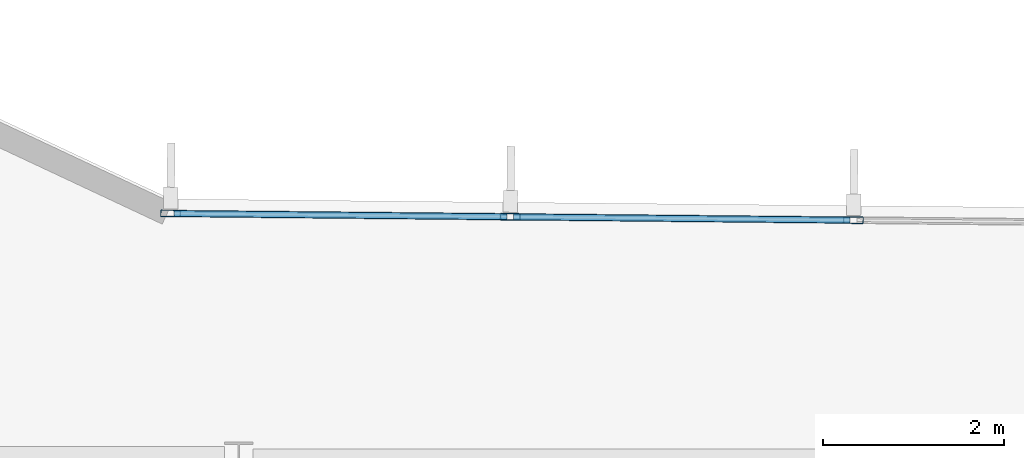
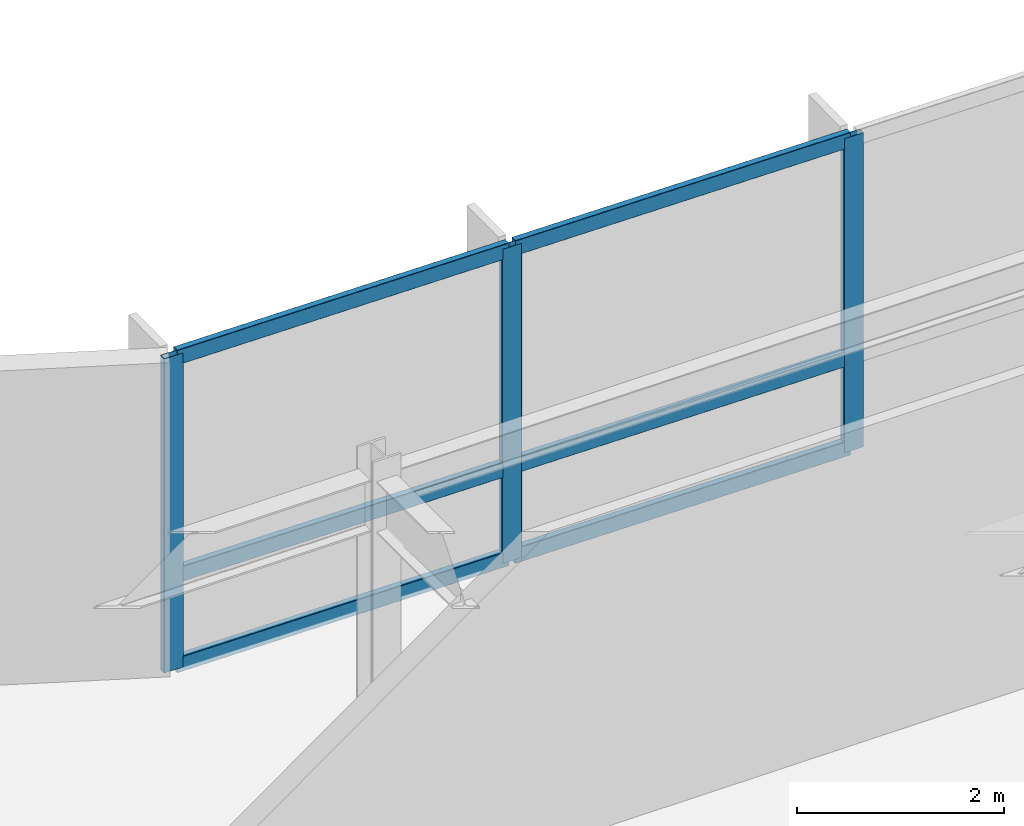
# One storey, part 4 of 19: 9 members, 1 element without a shape of its own.
"""IFC4 building model written with IfcOpenShell, lengths in metres."""

from ifc_helpers import new_model, si_unit, direction, frame, origin, origin_2d, place, context, subcontext, project, spatial, hollow_rectangle, extrude, material, layer, layer_set, material_profile, profile_set, type_object, element, aggregate, save


model = new_model("IFC4")

# Units and contexts
model_context = context("Model", 3, precision=1e-05, world=origin(), true_north=direction((0.0, 1.0)))
body_context = subcontext(model_context, "Body", "Model", "MODEL_VIEW")
ifc_project = project(units=[si_unit("LENGTHUNIT", "METRE"), si_unit("AREAUNIT", "SQUARE_METRE"), si_unit("VOLUMEUNIT", "CUBIC_METRE"), si_unit("PLANEANGLEUNIT", "RADIAN"), si_unit("MASSUNIT", "GRAM", prefix="KILO")], contexts=[model_context])

# Site, building, storey
site_placement = place(None, origin())
site = spatial("IfcSite", under=ifc_project, at=site_placement, CompositionType="ELEMENT")
building_placement = place(site_placement, origin())
building = spatial("IfcBuilding", under=site, at=building_placement, Name="Varnakote Quay Hospital", CompositionType="ELEMENT")
storey_placement = place(building_placement, frame((0.0, 0.0, 89.64990234375)))
storey = spatial("IfcBuildingStorey", under=building, at=storey_placement, Name="L22", CompositionType="ELEMENT", Elevation=89.64990234375)

# Curtain wall, members
ifc_material_1 = material(Name="Anodised aluminium 6063-T6 Bronze", Category="aluminium")
ifc_layer = layer(ifc_material_1, 0.18994140625)
ifc_layer_set = layer_set([ifc_layer], Name="Anodised aluminium 6063-T6 Bronze")
curtain_wall_type = type_object("IfcCurtainWallType", Name="CW-SYS-2", PredefinedType="NOTDEFINED", material=ifc_layer_set)
curtain_wall_placement = place(storey_placement, origin())
curtain_wall = element("IfcCurtainWall", 1, at=curtain_wall_placement, inside=storey, type_object=curtain_wall_type, Name="L22 Unitised Bronze Curtain Wall 2", PredefinedType="NOTDEFINED")
ifc_material_2 = material(Name="Anodised aluminium 6063-T6 Bronze", Category="aluminium")
ifc_material_profile_1 = material_profile(ifc_material_2, hollow_rectangle(XDim=0.074951171875, YDim=0.219970703125, WallThickness=0.00439453125, InnerFilletRadius=0.00439453125, OuterFilletRadius=0.009033203125, at=origin_2d()), Name="CW-MULL-220x75")
ifc_profile_set_1 = profile_set([ifc_material_profile_1], Name="Anodised aluminium 6063-T6 Bronze")
member_type_1 = type_object("IfcMemberType", Name="CW-MULL-220x75", PredefinedType="MULLION", material=ifc_profile_set_1)
member_1_placement = place(storey_placement, frame((31.99853515625, 31.418212890625, 0.0), z_axis=(0.0, 0.0, 1.0), x_axis=(-0.009774266312, -0.999952230718, 0.0)))
member_1 = element("IfcMember", 2, at=member_1_placement, type_object=member_type_1, Name="-2-L22-2 mullion 3", PredefinedType="MULLION", context=body_context, shape_type="SweptSolid", body=[
    extrude(hollow_rectangle(XDim=0.074951171875, YDim=0.219970703125, WallThickness=0.00439453125, InnerFilletRadius=0.00439453125, OuterFilletRadius=0.009033203125, at=origin_2d()), origin(), (0.0, 0.0, 1.0), 3.710205078125),
])
member_2_placement = place(storey_placement, frame((28.203125, 31.455078125, 0.0), z_axis=(0.0, 0.0, 1.0), x_axis=(-0.009774266312, -0.999952230718, 0.0)))
member_2 = element("IfcMember", 3, at=member_2_placement, type_object=member_type_1, Name="-2-L22-2 mullion 4", PredefinedType="MULLION", context=body_context, shape_type="SweptSolid", body=[
    extrude(hollow_rectangle(XDim=0.074951171875, YDim=0.219970703125, WallThickness=0.00439453125, InnerFilletRadius=0.00439453125, OuterFilletRadius=0.009033203125, at=origin_2d()), origin(), (0.0, 0.0, 1.0), 3.710205078125),
])
member_3_placement = place(storey_placement, frame((24.445068359375, 31.491943359375, 0.0), z_axis=(0.0, 0.0, 1.0), x_axis=(-0.009774266312, -0.999952230718, 0.0)))
member_3 = element("IfcMember", 4, at=member_3_placement, type_object=member_type_1, Name="-2-L22-2 mullion 5", PredefinedType="MULLION", context=body_context, shape_type="SweptSolid", body=[
    extrude(hollow_rectangle(XDim=0.074951171875, YDim=0.219970703125, WallThickness=0.00439453125, InnerFilletRadius=0.00439453125, OuterFilletRadius=0.009033203125, at=origin_2d()), origin(), (0.0, 0.0, 1.0), 3.710205078125),
])
ifc_material_3 = material(Name="Anodised aluminium 6063-T6 Bronze", Category="aluminium")
ifc_material_profile_2 = material_profile(ifc_material_3, hollow_rectangle(XDim=0.074951171875, YDim=0.179931640625, WallThickness=0.004150390625, InnerFilletRadius=0.004150390625, OuterFilletRadius=0.00830078125, at=origin_2d()), Name="CW-TRAN-180x75")
ifc_profile_set_2 = profile_set([ifc_material_profile_2], Name="Anodised aluminium 6063-T6 Bronze")
member_type_2 = type_object("IfcMemberType", Name="CW-TRAN-180x75", PredefinedType="USERDEFINED", material=ifc_profile_set_2)
member_4_placement = place(storey_placement, frame((31.961181640625, 31.41845703125, 0.03759765625), z_axis=(-0.999952209511, 0.009776435644, 0.0), x_axis=(-0.009776435644, -0.999952209511, 0.0)))
member_4 = element("IfcMember", 5, at=member_4_placement, type_object=member_type_2, Name="-2-L22-2 transom 3.1", ObjectType="TRANSOM", PredefinedType="USERDEFINED", context=body_context, shape_type="SweptSolid", body=[
    extrude(hollow_rectangle(XDim=0.074951171875, YDim=0.179931640625, WallThickness=0.004150390625, InnerFilletRadius=0.004150390625, OuterFilletRadius=0.00830078125, at=origin_2d()), origin(), (0.0, 0.0, 1.0), 3.720947265625),
])
member_5_placement = place(storey_placement, frame((31.961181640625, 31.41845703125, 1.10009765625), z_axis=(-0.999952209511, 0.009776435644, 0.0), x_axis=(-0.009776435644, -0.999952209511, 0.0)))
member_5 = element("IfcMember", 6, at=member_5_placement, type_object=member_type_2, Name="-2-L22-2 transom 3.2", ObjectType="TRANSOM", PredefinedType="USERDEFINED", context=body_context, shape_type="SweptSolid", body=[
    extrude(hollow_rectangle(XDim=0.074951171875, YDim=0.179931640625, WallThickness=0.004150390625, InnerFilletRadius=0.004150390625, OuterFilletRadius=0.00830078125, at=origin_2d()), origin(), (0.0, 0.0, 1.0), 3.720947265625),
])
member_6_placement = place(storey_placement, frame((31.961181640625, 31.41845703125, 3.672607421875), z_axis=(-0.999952209511, 0.009776435644, 0.0), x_axis=(-0.009776435644, -0.999952209511, 0.0)))
member_6 = element("IfcMember", 7, at=member_6_placement, type_object=member_type_2, Name="-2-L22-2 transom 3.3", ObjectType="TRANSOM", PredefinedType="USERDEFINED", context=body_context, shape_type="SweptSolid", body=[
    extrude(hollow_rectangle(XDim=0.074951171875, YDim=0.179931640625, WallThickness=0.004150390625, InnerFilletRadius=0.004150390625, OuterFilletRadius=0.00830078125, at=origin_2d()), origin(), (0.0, 0.0, 1.0), 3.720947265625),
])
member_7_placement = place(storey_placement, frame((28.16552734375, 31.45556640625, 0.03759765625), z_axis=(-0.999952523017, 0.00974431693, 0.0), x_axis=(-0.00974431693, -0.999952523017, 0.0)))
member_7 = element("IfcMember", 8, at=member_7_placement, type_object=member_type_2, Name="-2-L22-2 transom 4.1", ObjectType="TRANSOM", PredefinedType="USERDEFINED", context=body_context, shape_type="SweptSolid", body=[
    extrude(hollow_rectangle(XDim=0.074951171875, YDim=0.179931640625, WallThickness=0.004150390625, InnerFilletRadius=0.004150390625, OuterFilletRadius=0.00830078125, at=origin_2d()), origin(), (0.0, 0.0, 1.0), 3.68310546875),
])
member_8_placement = place(storey_placement, frame((28.16552734375, 31.45556640625, 1.10009765625), z_axis=(-0.999952523017, 0.00974431693, 0.0), x_axis=(-0.00974431693, -0.999952523017, 0.0)))
member_8 = element("IfcMember", 9, at=member_8_placement, type_object=member_type_2, Name="-2-L22-2 transom 4.2", ObjectType="TRANSOM", PredefinedType="USERDEFINED", context=body_context, shape_type="SweptSolid", body=[
    extrude(hollow_rectangle(XDim=0.074951171875, YDim=0.179931640625, WallThickness=0.004150390625, InnerFilletRadius=0.004150390625, OuterFilletRadius=0.00830078125, at=origin_2d()), origin(), (0.0, 0.0, 1.0), 3.68310546875),
])
member_9_placement = place(storey_placement, frame((28.16552734375, 31.45556640625, 3.672607421875), z_axis=(-0.999952523017, 0.00974431693, 0.0), x_axis=(-0.00974431693, -0.999952523017, 0.0)))
member_9 = element("IfcMember", 10, at=member_9_placement, type_object=member_type_2, Name="-2-L22-2 transom 4.3", ObjectType="TRANSOM", PredefinedType="USERDEFINED", context=body_context, shape_type="SweptSolid", body=[
    extrude(hollow_rectangle(XDim=0.074951171875, YDim=0.179931640625, WallThickness=0.004150390625, InnerFilletRadius=0.004150390625, OuterFilletRadius=0.00830078125, at=origin_2d()), origin(), (0.0, 0.0, 1.0), 3.68310546875),
])
aggregate(curtain_wall, [member_1, member_2, member_3, member_4, member_5, member_6, member_7, member_8, member_9])

save(model, "model.ifc")
